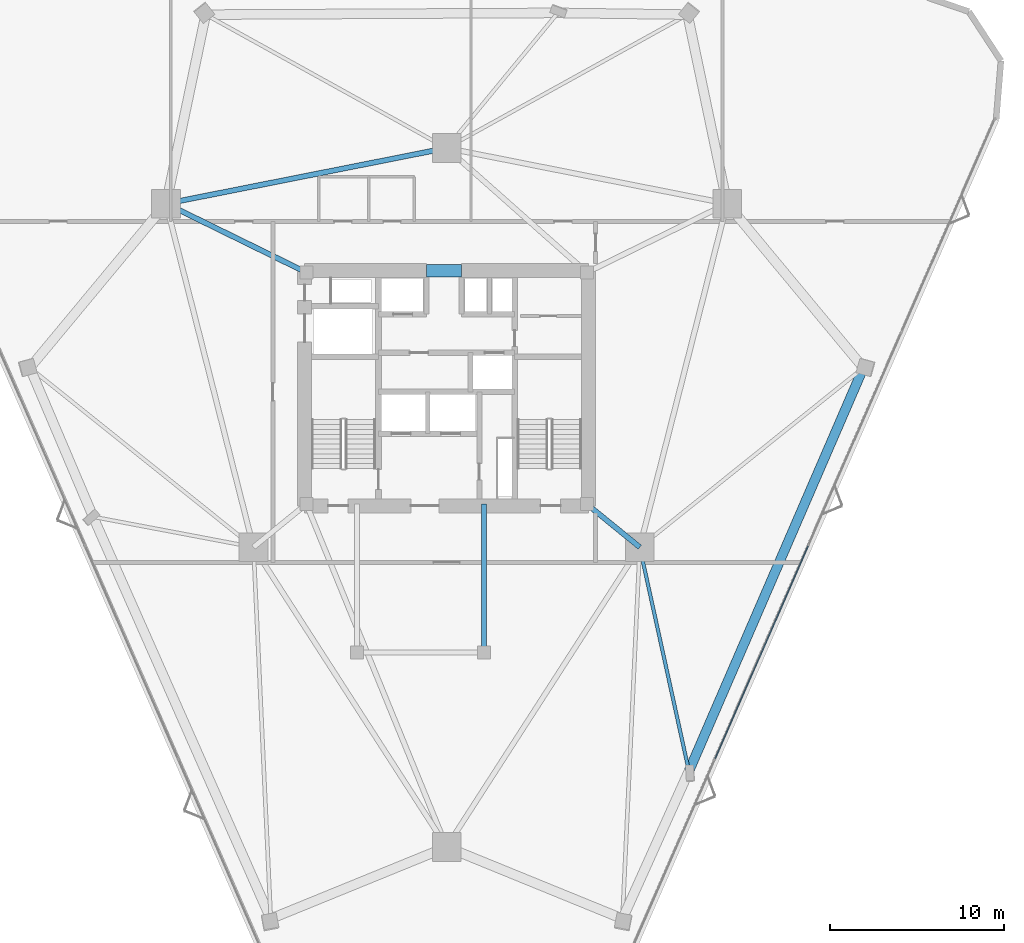
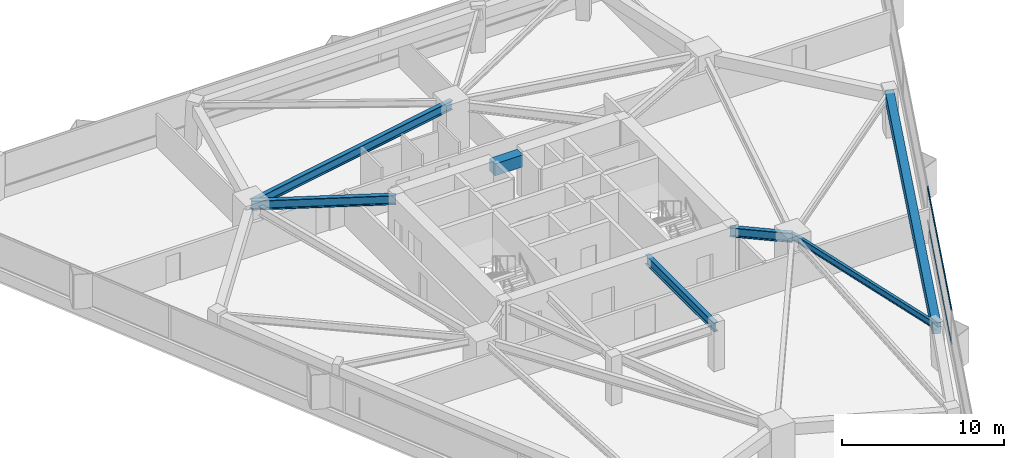
# One storey, part 8 of 19: 7 beams, 2 members, 1 element without a shape of its own.
"""IFC4 building model written with IfcOpenShell, lengths in metres."""

from ifc_helpers import new_model, si_unit, direction, frame, origin, origin_2d, place, context, subcontext, project, spatial, rectangle, i_section, extrude, material, layer, layer_set, material_profile, profile_set, type_object, element, aggregate, save


model = new_model("IFC4")

# Units and contexts
model_context = context("Model", 3, precision=1e-05, world=origin(), true_north=direction((0.0, 1.0)))
body_context = subcontext(model_context, "Body", "Model", "MODEL_VIEW")
ifc_project = project(units=[si_unit("LENGTHUNIT", "METRE"), si_unit("AREAUNIT", "SQUARE_METRE"), si_unit("VOLUMEUNIT", "CUBIC_METRE"), si_unit("PLANEANGLEUNIT", "RADIAN"), si_unit("MASSUNIT", "GRAM", prefix="KILO")], contexts=[model_context])

# Site, building, storey
site_placement = place(None, origin())
site = spatial("IfcSite", under=ifc_project, at=site_placement, CompositionType="ELEMENT")
building_placement = place(site_placement, origin())
building = spatial("IfcBuilding", under=site, at=building_placement, Name="Talyreon Biosciences Tower", CompositionType="ELEMENT")
storey_placement = place(building_placement, frame((0.0, 0.0, 82.300048828125)))
storey = spatial("IfcBuildingStorey", under=building, at=storey_placement, Name="L21", CompositionType="ELEMENT", Elevation=82.300048828125)

# Curtain wall, members
ifc_material_1 = material(Name="Thermally broken aluminium and low-E glazing", Category="aluminium")
ifc_layer = layer(ifc_material_1, 0.18994140625)
ifc_layer_set = layer_set([ifc_layer], Name="Thermally broken aluminium and low-E glazing")
curtain_wall_type = type_object("IfcCurtainWallType", Name="CurtainWall_Zone2Genomics", PredefinedType="NOTDEFINED", material=ifc_layer_set)
curtain_wall_placement = place(storey_placement, origin())
curtain_wall = element("IfcCurtainWall", 1, at=curtain_wall_placement, inside=storey, type_object=curtain_wall_type, Name="L21 Unitised Curtain Wall FCW-L21-08", PredefinedType="NOTDEFINED")
ifc_material_2 = material(Name="Anodised thermally broken aluminium", Category="aluminium")
ifc_material_profile_1 = material_profile(ifc_material_2, rectangle(XDim=0.06494140625, YDim=0.139892578125, at=origin_2d()), Name="ALUM TRANSOM 65x140")
ifc_profile_set_1 = profile_set([ifc_material_profile_1], Name="Anodised thermally broken aluminium")
member_type = type_object("IfcMemberType", Name="CWTransom_65x140", PredefinedType="USERDEFINED", material=ifc_profile_set_1)
member_1_placement = place(storey_placement, frame((86.748779296875, 58.94091796875, 0.842529296875), z_axis=(-0.400681171348, -0.91621755, 0.0), x_axis=(0.91621755, -0.400681171348, 0.0)))
member_1 = element("IfcMember", 2, at=member_1_placement, type_object=member_type, Name="CW3 transom 3.1", ObjectType="TRANSOM", PredefinedType="USERDEFINED", context=body_context, shape_type="SweptSolid", body=[
    extrude(rectangle(XDim=0.06494140625, YDim=0.139892578125, at=origin_2d()), origin(), (0.0, 0.0, 1.0), 13.304443359375),
])
member_2_placement = place(storey_placement, frame((86.748779296875, 58.94091796875, 3.342529296875), z_axis=(-0.400681171348, -0.91621755, 0.0), x_axis=(0.91621755, -0.400681171348, 0.0)))
member_2 = element("IfcMember", 3, at=member_2_placement, type_object=member_type, Name="CW3 transom 3.2", ObjectType="TRANSOM", PredefinedType="USERDEFINED", context=body_context, shape_type="SweptSolid", body=[
    extrude(rectangle(XDim=0.06494140625, YDim=0.139892578125, at=origin_2d()), origin(), (0.0, 0.0, 1.0), 13.304443359375),
])
aggregate(curtain_wall, [member_1, member_2])

# Beams
ifc_material_3 = material(Name="Concrete C60/75", Category="concrete")
ifc_material_profile_2 = material_profile(ifc_material_3, rectangle(XDim=0.699951171875, YDim=0.89990234375, at=origin_2d()), Name="RCB 700x900")
ifc_profile_set_2 = profile_set([ifc_material_profile_2], Name="Concrete C60/75")
beam_type_1 = type_object("IfcBeamType", Name="CoreCouplingLintel_700x900", PredefinedType="LINTEL", material=ifc_profile_set_2)
beam_1_placement = place(storey_placement, frame((64.85009765625, 74.75, 2.925048828125), z_axis=(1.0, 0.0, 0.0), x_axis=(0.0, 1.0, 0.0)))
element("IfcBeam", 4, at=beam_1_placement, inside=storey, type_object=beam_type_1, Name="L21 Core Coupling Lintel", PredefinedType="LINTEL", context=body_context, shape_type="SweptSolid", body=[
    extrude(rectangle(XDim=0.699951171875, YDim=0.89990234375, at=origin_2d()), origin(), (0.0, 0.0, 1.0), 2.0),
])
ifc_material_4 = material(Name="Precast concrete C45/55", Category="concrete")
ifc_material_profile_3 = material_profile(ifc_material_4, rectangle(XDim=0.550048828125, YDim=0.85009765625, at=origin_2d()), Name="RCB 550x850")
ifc_profile_set_3 = profile_set([ifc_material_profile_3], Name="Precast concrete C45/55")
beam_type_2 = type_object("IfcBeamType", Name="ExpressedSpandrel_550x850", PredefinedType="SPANDREL", material=ifc_profile_set_3)
beam_2_placement = place(storey_placement, frame((79.908935546875, 46.02490234375, 2.949951171875), z_axis=(0.397006565968, 0.91781576941, 0.0), x_axis=(-0.91781576941, 0.397006565968, 0.0)))
element("IfcBeam", 5, at=beam_2_placement, inside=storey, type_object=beam_type_2, Name="L21 Expressed Horizontal Concrete Spandrel 03", PredefinedType="SPANDREL", context=body_context, shape_type="SweptSolid", body=[
    extrude(rectangle(XDim=0.550048828125, YDim=0.85009765625, at=origin_2d()), origin(), (0.0, 0.0, 1.0), 25.22607421875),
])
ifc_material_5 = material(Name="Steel SM355", Category="steel")
ifc_material_profile_4 = material_profile(ifc_material_5, i_section(OverallWidth=0.300048828125, OverallDepth=0.699951171875, WebThickness=0.01708984375, FlangeThickness=0.031982421875, FilletRadius=0.027099609375, at=origin_2d()), Name="HE700B")
ifc_profile_set_4 = profile_set([ifc_material_profile_4], Name="Steel SM355")
beam_type_3 = type_object("IfcBeamType", Name="SteelGirder_HE700B", PredefinedType="BEAM", material=ifc_profile_set_4)
beam_3_placement = place(storey_placement, frame((66.0, 81.788818359375, 3.02490234375), z_axis=(-0.980933730698, -0.194342522311, 0.0), x_axis=(0.194342522311, -0.980933730698, 0.0)))
element("IfcBeam", 6, at=beam_3_placement, inside=storey, type_object=beam_type_3, Name="L21 Mega-Ring Girder 4", PredefinedType="BEAM", context=body_context, shape_type="SweptSolid", body=[
    extrude(i_section(OverallWidth=0.300048828125, OverallDepth=0.699951171875, WebThickness=0.01708984375, FlangeThickness=0.031982421875, FilletRadius=0.027099609375, at=origin_2d()), origin(), (0.0, 0.0, 1.0), 16.415283203125),
])
beam_4_placement = place(storey_placement, frame((74.050048828125, 61.35009765625, 3.02490234375), z_axis=(0.775755154013, -0.631034025249, 0.0), x_axis=(0.631034025249, 0.775755154013, 0.0)))
element("IfcBeam", 7, at=beam_4_placement, inside=storey, type_object=beam_type_3, Name="L21 Radial Primary Girder 2", PredefinedType="BEAM", context=body_context, shape_type="SweptSolid", body=[
    extrude(i_section(OverallWidth=0.300048828125, OverallDepth=0.699951171875, WebThickness=0.01708984375, FlangeThickness=0.031982421875, FilletRadius=0.027099609375, at=origin_2d()), origin(), (0.0, 0.0, 1.0), 3.913818359375),
])
beam_5_placement = place(storey_placement, frame((57.949951171875, 74.64990234375, 3.02490234375), z_axis=(-0.897852360314, 0.440296648952, 0.0), x_axis=(-0.440296648952, -0.897852360314, 0.0)))
element("IfcBeam", 8, at=beam_5_placement, inside=storey, type_object=beam_type_3, Name="L21 Radial Primary Girder 5", PredefinedType="BEAM", context=body_context, shape_type="SweptSolid", body=[
    extrude(i_section(OverallWidth=0.300048828125, OverallDepth=0.699951171875, WebThickness=0.01708984375, FlangeThickness=0.031982421875, FilletRadius=0.027099609375, at=origin_2d()), origin(), (0.0, 0.0, 1.0), 8.96826171875),
])
beam_6_placement = place(storey_placement, frame((68.14990234375, 52.840087890625, 3.02490234375), z_axis=(0.0, 1.0, 0.0), x_axis=(-1.0, 0.0, 0.0)))
element("IfcBeam", 9, at=beam_6_placement, inside=storey, type_object=beam_type_3, Name="L21 Crown Shaft Tie Girder E", PredefinedType="BEAM", context=body_context, shape_type="SweptSolid", body=[
    extrude(i_section(OverallWidth=0.300048828125, OverallDepth=0.699951171875, WebThickness=0.01708984375, FlangeThickness=0.031982421875, FilletRadius=0.027099609375, at=origin_2d()), origin(), (0.0, 0.0, 1.0), 8.510009765625),
])
ifc_material_profile_5 = material_profile(ifc_material_5, i_section(OverallWidth=0.199951171875, OverallDepth=0.5, WebThickness=0.01025390625, FlangeThickness=0.01611328125, FilletRadius=0.02099609375, at=origin_2d()), Name="IPE500")
ifc_profile_set_5 = profile_set([ifc_material_profile_5], Name="Steel SM355")
beam_type_4 = type_object("IfcBeamType", Name="SteelJoist_IPE500", PredefinedType="JOIST", material=ifc_profile_set_5)
beam_7_placement = place(storey_placement, frame((77.086181640625, 58.88037109375, 3.125), z_axis=(0.2144668585, -0.976731266319, 0.0), x_axis=(0.976731266319, 0.2144668585, 0.0)))
element("IfcBeam", 10, at=beam_7_placement, inside=storey, type_object=beam_type_4, Name="L21 Radial Composite Floor Joist PL-SE", PredefinedType="JOIST", context=body_context, shape_type="SweptSolid", body=[
    extrude(i_section(OverallWidth=0.199951171875, OverallDepth=0.5, WebThickness=0.01025390625, FlangeThickness=0.01611328125, FilletRadius=0.02099609375, at=origin_2d()), origin(), (0.0, 0.0, 1.0), 13.16162109375),
])

save(model, "model.ifc")
